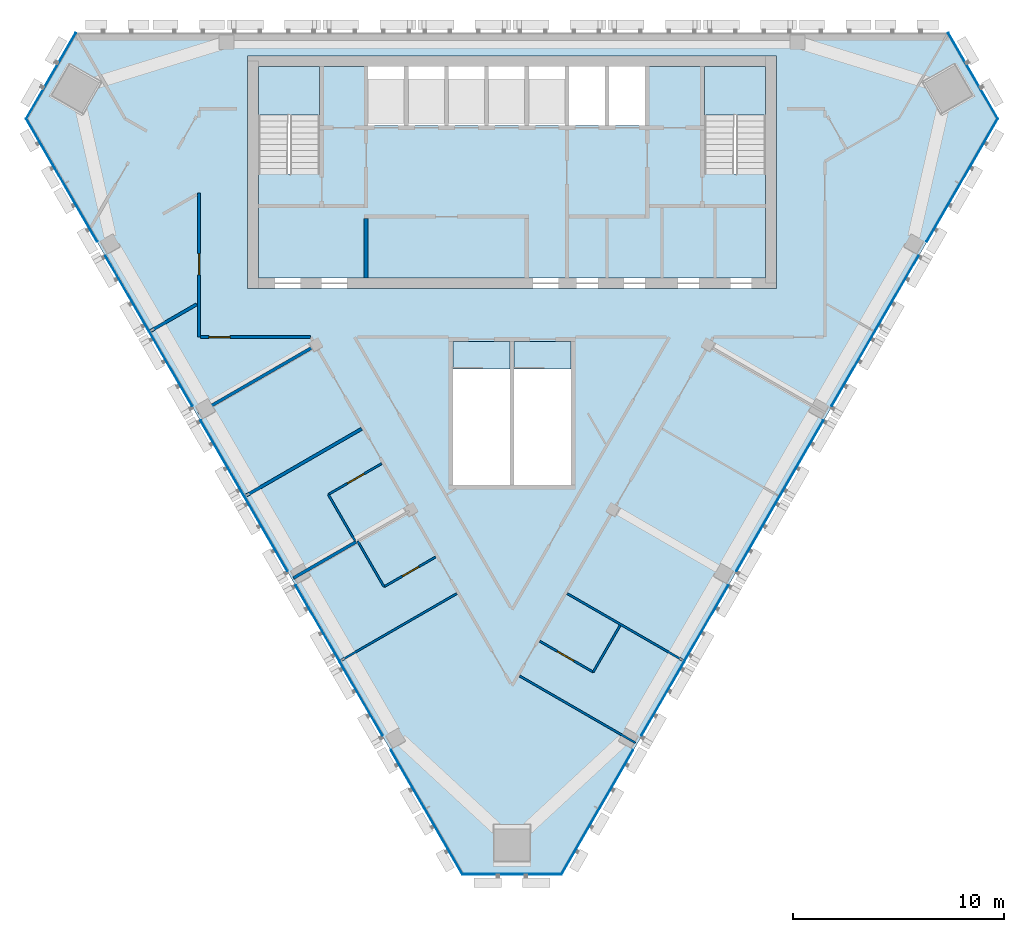
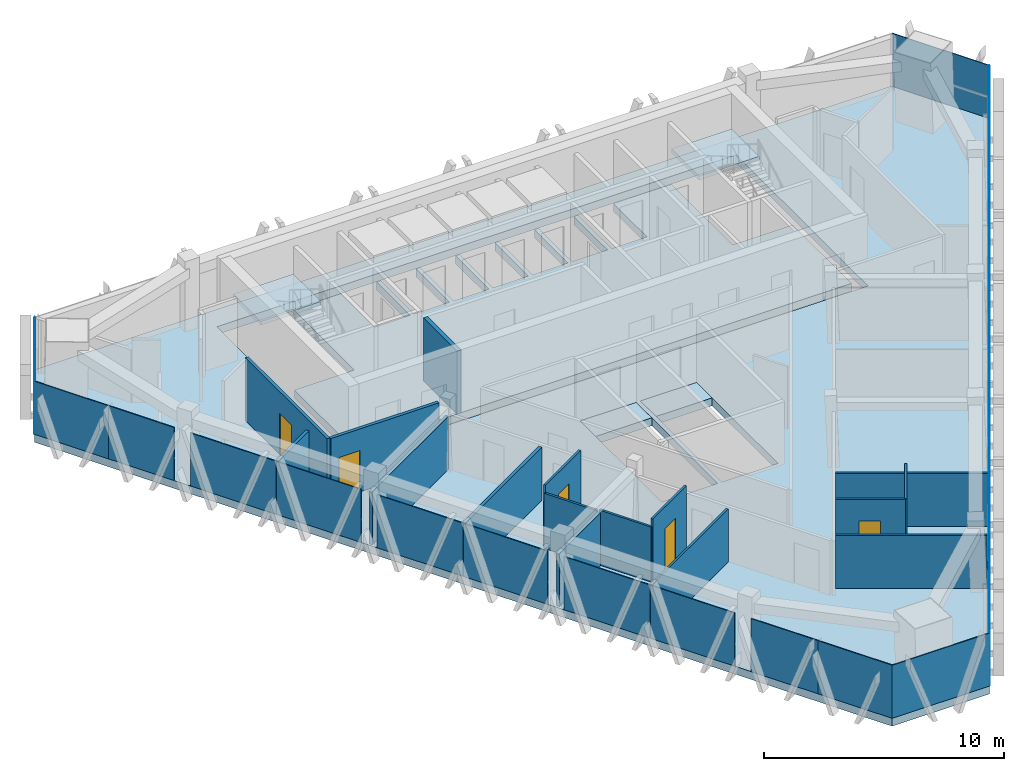
# One storey, part 7 of 12: 23 plates, 16 walls, 6 slabs, 5 doors, 5 openings, 7 elements without a shape of their own.
"""IFC4 building model written with IfcOpenShell, lengths in metres."""

from ifc_helpers import new_model, si_unit, direction, frame, frame_2d, origin, origin_2d, place, context, subcontext, project, spatial, polyline, rectangle, outline, extrude, material, layer, layer_set, type_object, element, fill, aggregate, save


model = new_model("IFC4")

# Units and contexts
model_context = context("Model", 3, precision=1e-05, world=origin(), true_north=direction((0.0, 1.0)))
body_context = subcontext(model_context, "Body", "Model", "MODEL_VIEW")
ifc_project = project(units=[si_unit("LENGTHUNIT", "METRE"), si_unit("AREAUNIT", "SQUARE_METRE"), si_unit("VOLUMEUNIT", "CUBIC_METRE"), si_unit("PLANEANGLEUNIT", "RADIAN"), si_unit("MASSUNIT", "GRAM", prefix="KILO")], contexts=[model_context])

# Site, building, storey
site_placement = place(None, origin())
site = spatial("IfcSite", under=ifc_project, at=site_placement, CompositionType="ELEMENT")
building_placement = place(site_placement, origin())
building = spatial("IfcBuilding", under=site, at=building_placement, Name="Altiplano Prism Tower", CompositionType="ELEMENT")
storey_placement = place(building_placement, frame((0.0, 0.0, 275.199951171875)))
storey = spatial("IfcBuildingStorey", under=building, at=storey_placement, Name="L71", CompositionType="ELEMENT", Elevation=275.199951171875)

# Curtain wall, plate
ifc_material_1 = material(Name="Aluminium and glass", Category="aluminium")
ifc_layer_1 = layer(ifc_material_1, 0.280029296875)
ifc_layer_set_1 = layer_set([ifc_layer_1], Name="Aluminium and glass")
curtain_wall_type = type_object("IfcCurtainWallType", Name="CW1 typical co-living unitised curtain wall", PredefinedType="NOTDEFINED", material=ifc_layer_set_1)
curtain_wall_1_placement = place(storey_placement, origin())
curtain_wall_1 = element("IfcCurtainWall", 1, at=curtain_wall_1_placement, inside=storey, type_object=curtain_wall_type, Name="CW1 curtain wall north-west chamfer L71", PredefinedType="NOTDEFINED")
ifc_material_2 = material(Name="Clear glass", Category="glass")
ifc_layer_2 = layer(ifc_material_2, 0.0400390625)
ifc_layer_set_2 = layer_set([ifc_layer_2], Name="Clear glass")
plate_type = type_object("IfcPlateType", Name="CW1 insulated glass unit 40", PredefinedType="CURTAIN_PANEL", material=ifc_layer_set_2)
plate_1_placement = place(storey_placement, frame((63.19384765625, 102.957763671875, 0.0), z_axis=(0.0, 0.0, 1.0), x_axis=(-0.500000036971, -0.866025382439, 0.0)))
plate_1 = element("IfcPlate", 2, at=plate_1_placement, type_object=plate_type, Name="CW1 panel", PredefinedType="CURTAIN_PANEL", context=body_context, shape_type="SweptSolid", body=[
    extrude(rectangle(XDim=4.683349609375, YDim=0.0400390625, at=origin_2d()), origin(), (0.0, 0.0, 1.0), 2.699951171875),
])
aggregate(curtain_wall_1, [plate_1])

# Curtain wall, plates
curtain_wall_2_placement = place(storey_placement, origin())
curtain_wall_2 = element("IfcCurtainWall", 3, at=curtain_wall_2_placement, inside=storey, type_object=curtain_wall_type, Name="CW1 curtain wall south-west face L71", PredefinedType="NOTDEFINED")
plate_2_placement = place(storey_placement, frame((62.914306640625, 99.3974609375, 0.0), z_axis=(0.0, 0.0, 1.0), x_axis=(0.499999996372, -0.866025405879, 0.0)))
plate_2 = element("IfcPlate", 4, at=plate_2_placement, type_object=plate_type, Name="CW1 panel", PredefinedType="CURTAIN_PANEL", context=body_context, shape_type="SweptSolid", body=[
    extrude(rectangle(XDim=3.56494140625, YDim=0.0400390625, at=origin_2d()), origin(), (0.0, 0.0, 1.0), 2.699951171875),
])
plate_3_placement = place(storey_placement, frame((64.594482421875, 96.4873046875, 0.0), z_axis=(0.0, 0.0, 1.0), x_axis=(0.499999996372, -0.866025405879, 0.0)))
plate_3 = element("IfcPlate", 5, at=plate_3_placement, type_object=plate_type, Name="CW1 panel", PredefinedType="CURTAIN_PANEL", context=body_context, shape_type="SweptSolid", body=[
    extrude(rectangle(XDim=3.135498046875, YDim=0.0400390625, at=origin_2d()), origin(), (0.0, 0.0, 1.0), 2.699951171875),
])
plate_4_placement = place(storey_placement, frame((66.808349609375, 92.653076171875, 0.0), z_axis=(0.0, 0.0, 1.0), x_axis=(0.499999996372, -0.866025405879, 0.0)))
plate_4 = element("IfcPlate", 6, at=plate_4_placement, type_object=plate_type, Name="CW1 panel", PredefinedType="CURTAIN_PANEL", context=body_context, shape_type="SweptSolid", body=[
    extrude(rectangle(XDim=4.139404296875, YDim=0.0400390625, at=origin_2d()), origin(), (0.0, 0.0, 1.0), 2.699951171875),
])
plate_5_placement = place(storey_placement, frame((68.86328125, 89.09375, 0.0), z_axis=(0.0, 0.0, 1.0), x_axis=(0.499999996372, -0.866025405879, 0.0)))
plate_5 = element("IfcPlate", 7, at=plate_5_placement, type_object=plate_type, Name="CW1 panel", PredefinedType="CURTAIN_PANEL", context=body_context, shape_type="SweptSolid", body=[
    extrude(rectangle(XDim=4.060302734375, YDim=0.0400390625, at=origin_2d()), origin(), (0.0, 0.0, 1.0), 2.699951171875),
])
plate_6_placement = place(storey_placement, frame((71.308349609375, 84.858642578125, 0.0), z_axis=(0.0, 0.0, 1.0), x_axis=(0.499999996372, -0.866025405879, 0.0)))
plate_6 = element("IfcPlate", 8, at=plate_6_placement, type_object=plate_type, Name="CW1 panel", PredefinedType="CURTAIN_PANEL", context=body_context, shape_type="SweptSolid", body=[
    extrude(rectangle(XDim=4.139404296875, YDim=0.0400390625, at=origin_2d()), origin(), (0.0, 0.0, 1.0), 2.699951171875),
])
plate_7_placement = place(storey_placement, frame((73.36328125, 81.299560546875, 0.0), z_axis=(0.0, 0.0, 1.0), x_axis=(0.499999996372, -0.866025405879, 0.0)))
plate_7 = element("IfcPlate", 9, at=plate_7_placement, type_object=plate_type, Name="CW1 panel", PredefinedType="CURTAIN_PANEL", context=body_context, shape_type="SweptSolid", body=[
    extrude(rectangle(XDim=4.060302734375, YDim=0.0400390625, at=origin_2d()), origin(), (0.0, 0.0, 1.0), 2.699951171875),
])
plate_8_placement = place(storey_placement, frame((75.808349609375, 77.064453125, 0.0), z_axis=(0.0, 0.0, 1.0), x_axis=(0.499999996372, -0.866025405879, 0.0)))
plate_8 = element("IfcPlate", 10, at=plate_8_placement, type_object=plate_type, Name="CW1 panel", PredefinedType="CURTAIN_PANEL", context=body_context, shape_type="SweptSolid", body=[
    extrude(rectangle(XDim=4.139404296875, YDim=0.0400390625, at=origin_2d()), origin(), (0.0, 0.0, 1.0), 2.699951171875),
])
plate_9_placement = place(storey_placement, frame((77.86328125, 73.505126953125, 0.0), z_axis=(0.0, 0.0, 1.0), x_axis=(0.499999996372, -0.866025405879, 0.0)))
plate_9 = element("IfcPlate", 11, at=plate_9_placement, type_object=plate_type, Name="CW1 panel", PredefinedType="CURTAIN_PANEL", context=body_context, shape_type="SweptSolid", body=[
    extrude(rectangle(XDim=4.060302734375, YDim=0.0400390625, at=origin_2d()), origin(), (0.0, 0.0, 1.0), 2.699951171875),
])
plate_10_placement = place(storey_placement, frame((80.076904296875, 69.6708984375, 0.0), z_axis=(0.0, 0.0, 1.0), x_axis=(0.499999996372, -0.866025405879, 0.0)))
plate_10 = element("IfcPlate", 12, at=plate_10_placement, type_object=plate_type, Name="CW1 panel", PredefinedType="CURTAIN_PANEL", context=body_context, shape_type="SweptSolid", body=[
    extrude(rectangle(XDim=3.214599609375, YDim=0.0400390625, at=origin_2d()), origin(), (0.0, 0.0, 1.0), 2.699951171875),
])
plate_11_placement = place(storey_placement, frame((81.77685546875, 66.7265625, 0.0), z_axis=(0.0, 0.0, 1.0), x_axis=(0.499999996372, -0.866025405879, 0.0)))
plate_11 = element("IfcPlate", 13, at=plate_11_placement, type_object=plate_type, Name="CW1 panel", PredefinedType="CURTAIN_PANEL", context=body_context, shape_type="SweptSolid", body=[
    extrude(rectangle(XDim=3.56494140625, YDim=0.0400390625, at=origin_2d()), origin(), (0.0, 0.0, 1.0), 2.699951171875),
])
aggregate(curtain_wall_2, [plate_2, plate_3, plate_4, plate_5, plate_6, plate_7, plate_8, plate_9, plate_10, plate_11])

# Curtain wall, plate
curtain_wall_3_placement = place(storey_placement, origin())
curtain_wall_3 = element("IfcCurtainWall", 14, at=curtain_wall_3_placement, inside=storey, type_object=curtain_wall_type, Name="CW1 curtain wall south chamfer L71", PredefinedType="NOTDEFINED")
plate_12_placement = place(storey_placement, frame((85.0, 65.1884765625, 0.0), z_axis=(0.0, 0.0, 1.0), x_axis=(1.0, 0.0, 0.0)))
plate_12 = element("IfcPlate", 15, at=plate_12_placement, type_object=plate_type, Name="CW1 panel", PredefinedType="CURTAIN_PANEL", context=body_context, shape_type="SweptSolid", body=[
    extrude(rectangle(XDim=4.683349609375, YDim=0.0400390625, at=origin_2d()), origin(), (0.0, 0.0, 1.0), 2.699951171875),
])
aggregate(curtain_wall_3, [plate_12])

# Curtain wall, plates
curtain_wall_4_placement = place(storey_placement, origin())
curtain_wall_4 = element("IfcCurtainWall", 16, at=curtain_wall_4_placement, inside=storey, type_object=curtain_wall_type, Name="CW1 curtain wall south-east face L71", PredefinedType="NOTDEFINED")
plate_13_placement = place(storey_placement, frame((88.22314453125, 66.7265625, 0.0), z_axis=(0.0, 0.0, 1.0), x_axis=(0.499999996372, 0.866025405879, 0.0)))
plate_13 = element("IfcPlate", 17, at=plate_13_placement, type_object=plate_type, Name="CW1 panel", PredefinedType="CURTAIN_PANEL", context=body_context, shape_type="SweptSolid", body=[
    extrude(rectangle(XDim=3.56494140625, YDim=0.0400390625, at=origin_2d()), origin(), (0.0, 0.0, 1.0), 2.699951171875),
])
plate_14_placement = place(storey_placement, frame((89.923095703125, 69.6708984375, 0.0), z_axis=(0.0, 0.0, 1.0), x_axis=(0.499999996372, 0.866025405879, 0.0)))
plate_14 = element("IfcPlate", 18, at=plate_14_placement, type_object=plate_type, Name="CW1 panel", PredefinedType="CURTAIN_PANEL", context=body_context, shape_type="SweptSolid", body=[
    extrude(rectangle(XDim=3.214599609375, YDim=0.0400390625, at=origin_2d()), origin(), (0.0, 0.0, 1.0), 2.699951171875),
])
plate_15_placement = place(storey_placement, frame((92.13671875, 73.505126953125, 0.0), z_axis=(0.0, 0.0, 1.0), x_axis=(0.499999996372, 0.866025405879, 0.0)))
plate_15 = element("IfcPlate", 19, at=plate_15_placement, type_object=plate_type, Name="CW1 panel", PredefinedType="CURTAIN_PANEL", context=body_context, shape_type="SweptSolid", body=[
    extrude(rectangle(XDim=4.060302734375, YDim=0.0400390625, at=origin_2d()), origin(), (0.0, 0.0, 1.0), 2.699951171875),
])
plate_16_placement = place(storey_placement, frame((94.191650390625, 77.064453125, 0.0), z_axis=(0.0, 0.0, 1.0), x_axis=(0.499999996372, 0.866025405879, 0.0)))
plate_16 = element("IfcPlate", 20, at=plate_16_placement, type_object=plate_type, Name="CW1 panel", PredefinedType="CURTAIN_PANEL", context=body_context, shape_type="SweptSolid", body=[
    extrude(rectangle(XDim=4.139404296875, YDim=0.0400390625, at=origin_2d()), origin(), (0.0, 0.0, 1.0), 2.699951171875),
])
plate_17_placement = place(storey_placement, frame((96.63671875, 81.299560546875, 0.0), z_axis=(0.0, 0.0, 1.0), x_axis=(0.499999996372, 0.866025405879, 0.0)))
plate_17 = element("IfcPlate", 21, at=plate_17_placement, type_object=plate_type, Name="CW1 panel", PredefinedType="CURTAIN_PANEL", context=body_context, shape_type="SweptSolid", body=[
    extrude(rectangle(XDim=4.060302734375, YDim=0.0400390625, at=origin_2d()), origin(), (0.0, 0.0, 1.0), 2.699951171875),
])
plate_18_placement = place(storey_placement, frame((98.691650390625, 84.858642578125, 0.0), z_axis=(0.0, 0.0, 1.0), x_axis=(0.499999996372, 0.866025405879, 0.0)))
plate_18 = element("IfcPlate", 22, at=plate_18_placement, type_object=plate_type, Name="CW1 panel", PredefinedType="CURTAIN_PANEL", context=body_context, shape_type="SweptSolid", body=[
    extrude(rectangle(XDim=4.139404296875, YDim=0.0400390625, at=origin_2d()), origin(), (0.0, 0.0, 1.0), 2.699951171875),
])
plate_19_placement = place(storey_placement, frame((101.13671875, 89.09375, 0.0), z_axis=(0.0, 0.0, 1.0), x_axis=(0.499999996372, 0.866025405879, 0.0)))
plate_19 = element("IfcPlate", 23, at=plate_19_placement, type_object=plate_type, Name="CW1 panel", PredefinedType="CURTAIN_PANEL", context=body_context, shape_type="SweptSolid", body=[
    extrude(rectangle(XDim=4.060302734375, YDim=0.0400390625, at=origin_2d()), origin(), (0.0, 0.0, 1.0), 2.699951171875),
])
plate_20_placement = place(storey_placement, frame((103.191650390625, 92.653076171875, 0.0), z_axis=(0.0, 0.0, 1.0), x_axis=(0.499999996372, 0.866025405879, 0.0)))
plate_20 = element("IfcPlate", 24, at=plate_20_placement, type_object=plate_type, Name="CW1 panel", PredefinedType="CURTAIN_PANEL", context=body_context, shape_type="SweptSolid", body=[
    extrude(rectangle(XDim=4.139404296875, YDim=0.0400390625, at=origin_2d()), origin(), (0.0, 0.0, 1.0), 2.699951171875),
])
plate_21_placement = place(storey_placement, frame((105.405517578125, 96.4873046875, 0.0), z_axis=(0.0, 0.0, 1.0), x_axis=(0.499999996372, 0.866025405879, 0.0)))
plate_21 = element("IfcPlate", 25, at=plate_21_placement, type_object=plate_type, Name="CW1 panel", PredefinedType="CURTAIN_PANEL", context=body_context, shape_type="SweptSolid", body=[
    extrude(rectangle(XDim=3.135498046875, YDim=0.0400390625, at=origin_2d()), origin(), (0.0, 0.0, 1.0), 2.699951171875),
])
plate_22_placement = place(storey_placement, frame((107.085693359375, 99.3974609375, 0.0), z_axis=(0.0, 0.0, 1.0), x_axis=(0.499999996372, 0.866025405879, 0.0)))
plate_22 = element("IfcPlate", 26, at=plate_22_placement, type_object=plate_type, Name="CW1 panel", PredefinedType="CURTAIN_PANEL", context=body_context, shape_type="SweptSolid", body=[
    extrude(rectangle(XDim=3.56494140625, YDim=0.0400390625, at=origin_2d()), origin(), (0.0, 0.0, 1.0), 2.699951171875),
])
aggregate(curtain_wall_4, [plate_13, plate_14, plate_15, plate_16, plate_17, plate_18, plate_19, plate_20, plate_21, plate_22])

# Curtain wall, plate
curtain_wall_5_placement = place(storey_placement, origin())
curtain_wall_5 = element("IfcCurtainWall", 27, at=curtain_wall_5_placement, inside=storey, type_object=curtain_wall_type, Name="CW1 curtain wall north-east chamfer L71", PredefinedType="NOTDEFINED")
plate_23_placement = place(storey_placement, frame((106.80615234375, 102.957763671875, 0.0), z_axis=(0.0, 0.0, 1.0), x_axis=(-0.500000036971, 0.866025382439, 0.0)))
plate_23 = element("IfcPlate", 28, at=plate_23_placement, type_object=plate_type, Name="CW1 panel", PredefinedType="CURTAIN_PANEL", context=body_context, shape_type="SweptSolid", body=[
    extrude(rectangle(XDim=4.683349609375, YDim=0.0400390625, at=origin_2d()), origin(), (0.0, 0.0, 1.0), 2.699951171875),
])
aggregate(curtain_wall_5, [plate_23])

# Slabs
ifc_material_3 = material(Name="Concrete C40/50", Category="concrete")
ifc_layer_3 = layer(ifc_material_3, 0.39990234375)
ifc_layer_set_3 = layer_set([ifc_layer_3], Name="Concrete C40/50")
slab_type_1 = type_object("IfcSlabType", Name="Core floor slab 400", PredefinedType="FLOOR", material=ifc_layer_set_3)
slab_1_placement = place(storey_placement, frame((0.0, 0.0, -0.39990234375)))
element("IfcSlab", 29, at=slab_1_placement, inside=storey, type_object=slab_type_1, Name="Core floor slab L71", PredefinedType="FLOOR", context=body_context, shape_type="SweptSolid", body=[
    extrude(outline(polyline([(97.0, 98.31005859375), (94.10009765625, 98.31005859375), (94.10009765625, 103.39990234375), (91.300048828125, 103.39990234375), (91.300048828125, 100.60009765625), (89.60009765625, 100.60009765625), (89.60009765625, 103.39990234375), (89.39990234375, 103.39990234375), (89.39990234375, 100.60009765625), (87.699951171875, 100.60009765625), (87.699951171875, 103.39990234375), (87.5, 103.39990234375), (87.5, 100.60009765625), (85.800048828125, 100.60009765625), (85.800048828125, 103.39990234375), (85.60009765625, 103.39990234375), (85.60009765625, 100.60009765625), (83.89990234375, 100.60009765625), (83.89990234375, 103.39990234375), (83.699951171875, 103.39990234375), (83.699951171875, 100.60009765625), (82.0, 100.60009765625), (82.0, 103.39990234375), (81.800048828125, 103.39990234375), (81.800048828125, 100.60009765625), (80.10009765625, 100.60009765625), (80.10009765625, 103.39990234375), (79.89990234375, 103.39990234375), (79.89990234375, 100.60009765625), (78.199951171875, 100.60009765625), (78.199951171875, 103.39990234375), (75.89990234375, 103.39990234375), (75.89990234375, 98.31005859375), (73.0, 98.31005859375), (73.0, 93.39990234375), (97.0, 93.39990234375), (97.0, 98.31005859375)])), origin(), (0.0, 0.0, 1.0), 0.39990234375),
])
slab_2_placement = place(storey_placement, frame((0.0, 0.0, -0.39990234375)))
element("IfcSlab", 30, at=slab_2_placement, inside=storey, type_object=slab_type_1, Name="Stair 3A landing slab L71", PredefinedType="FLOOR", context=body_context, shape_type="SweptSolid", body=[
    extrude(outline(polyline([(82.199951171875, 89.096923828125), (84.89990234375, 89.096923828125), (84.89990234375, 90.39990234375), (82.199951171875, 90.39990234375), (82.199951171875, 89.096923828125)])), origin(), (0.0, 0.0, 1.0), 0.39990234375),
])
slab_3_placement = place(storey_placement, frame((0.0, 0.0, -0.39990234375)))
element("IfcSlab", 31, at=slab_3_placement, inside=storey, type_object=slab_type_1, Name="Stair 3B landing slab L71", PredefinedType="FLOOR", context=body_context, shape_type="SweptSolid", body=[
    extrude(outline(polyline([(85.10009765625, 89.096923828125), (87.800048828125, 89.096923828125), (87.800048828125, 90.39990234375), (85.10009765625, 90.39990234375), (85.10009765625, 89.096923828125)])), origin(), (0.0, 0.0, 1.0), 0.39990234375),
])
ifc_layer_4 = layer(ifc_material_3, 0.39990234375)
ifc_layer_set_4 = layer_set([ifc_layer_4], Name="Concrete C40/50")
slab_type_2 = type_object("IfcSlabType", Name="Post-tensioned flat slab 400", PredefinedType="FLOOR", material=ifc_layer_set_4)
slab_4_placement = place(storey_placement, frame((0.0, 0.0, -0.39990234375)))
element("IfcSlab", 32, at=slab_4_placement, inside=storey, type_object=slab_type_2, Name="Floor slab L71", PredefinedType="FLOOR", context=body_context, shape_type="SweptSolid", body=[
    extrude(outline(polyline([(82.6533203125, 65.16845703125), (62.003173828125, 100.935546875), (64.349853515625, 105.0), (105.650146484375, 105.0), (107.996826171875, 100.935546875), (87.3466796875, 65.16845703125), (82.6533203125, 65.16845703125)]), holes=[polyline([(72.5, 103.89990234375), (72.5, 92.89990234375), (97.5, 92.89990234375), (97.5, 103.89990234375), (72.5, 103.89990234375)]), polyline([(84.89990234375, 90.39990234375), (82.199951171875, 90.39990234375), (82.199951171875, 83.60009765625), (84.89990234375, 83.60009765625), (84.89990234375, 90.39990234375)]), polyline([(87.800048828125, 83.60009765625), (87.800048828125, 90.39990234375), (85.10009765625, 90.39990234375), (85.10009765625, 83.60009765625), (87.800048828125, 83.60009765625)])]), origin(), (0.0, 0.0, 1.0), 0.39990234375),
])

# Stair, slab
stair_type = type_object("IfcStairType", Name="Exit stair 1400", PredefinedType="HALF_TURN_STAIR", material=ifc_material_3)
stair_1_placement = place(storey_placement, origin())
stair_1 = element("IfcStair", 33, at=stair_1_placement, inside=storey, type_object=stair_type, Name="L71 Exit Stair 1", PredefinedType="HALF_TURN_STAIR")
ifc_layer_5 = layer(ifc_material_3, 0.199951171875)
ifc_layer_set_5 = layer_set([ifc_layer_5], Name="Concrete C40/50")
slab_type_3 = type_object("IfcSlabType", Name="Stair landing 200", PredefinedType="LANDING", material=ifc_layer_set_5)
slab_5_placement = place(storey_placement, frame((0.0, 0.0, 1.60009765625)))
slab_5 = element("IfcSlab", 34, at=slab_5_placement, type_object=slab_type_3, Name="ST1 landing 1", PredefinedType="LANDING", context=body_context, shape_type="SweptSolid", body=[
    extrude(outline(polyline([(75.89990234375, 101.096923828125), (75.89990234375, 103.39990234375), (73.0, 103.39990234375), (73.0, 101.096923828125), (75.89990234375, 101.096923828125)])), origin(), (0.0, 0.0, 1.0), 0.199951171875),
])
aggregate(stair_1, [slab_5])

stair_2_placement = place(storey_placement, origin())
stair_2 = element("IfcStair", 35, at=stair_2_placement, inside=storey, type_object=stair_type, Name="L71 Exit Stair 2", PredefinedType="HALF_TURN_STAIR")
slab_6_placement = place(storey_placement, frame((0.0, 0.0, 1.60009765625)))
slab_6 = element("IfcSlab", 36, at=slab_6_placement, type_object=slab_type_3, Name="ST2 landing 1", PredefinedType="LANDING", context=body_context, shape_type="SweptSolid", body=[
    extrude(outline(polyline([(97.0, 101.096923828125), (97.0, 103.39990234375), (94.10009765625, 103.39990234375), (94.10009765625, 101.096923828125), (97.0, 101.096923828125)])), origin(), (0.0, 0.0, 1.0), 0.199951171875),
])
aggregate(stair_2, [slab_6])

# Wall
ifc_material_4 = material(Name="Plasterboard on steel stud", Category="steel")
ifc_layer_6 = layer(ifc_material_4, 0.10009765625)
ifc_layer_set_6 = layer_set([ifc_layer_6], Name="Plasterboard on steel stud")
wall_type_1 = type_object("IfcWallType", Name="Partition 100 unit", PredefinedType="PARTITIONING", material=ifc_layer_set_6)
wall_1_placement = place(storey_placement, frame((77.57177734375, 80.9697265625, 0.0), z_axis=(0.0, 0.0, 1.0), x_axis=(-0.499976333282, 0.866039067339, 0.0)))
element("IfcWall", 37, at=wall_1_placement, inside=storey, type_object=wall_type_1, Name="Partition P02 L71 027", PredefinedType="PARTITIONING", context=body_context, shape_type="SweptSolid", body=[
    extrude(rectangle(XDim=2.52490234375, YDim=0.10009765625, at=frame_2d((1.262451171875, 0.0))), origin(), (0.0, 0.0, 1.0), 2.800048828125),
])

# Wall, opening, door
wall_2_placement = place(storey_placement, frame((76.309326171875, 83.156494140625, 0.0), z_axis=(0.0, 0.0, 1.0), x_axis=(0.86601045545, 0.500025890382, 0.0)))
wall_2 = element("IfcWall", 38, at=wall_2_placement, inside=storey, type_object=wall_type_1, Name="Partition P02 L71 028", PredefinedType="PARTITIONING", context=body_context, shape_type="SweptSolid", body=[
    extrude(rectangle(XDim=2.925048828125, YDim=0.10009765625, at=frame_2d((1.46240234375, 0.0))), origin(), (0.0, 0.0, 1.0), 3.199951171875),
])
opening_1_placement = place(wall_2_placement, frame((1.050048828125, 0.0, 0.0)))
opening_1 = element("IfcOpeningElement", 39, at=opening_1_placement, cuts=wall_2, Name="Opening D2235", PredefinedType="OPENING", context=body_context, shape_type="SweptSolid", body=[
    extrude(rectangle(XDim=0.89990234375, YDim=2.10009765625, at=frame_2d((0.449951171875, 1.050048828125))), frame((0.0, 0.060546875, 0.0), z_axis=(0.0, -1.0, 0.0), x_axis=(1.0, 0.0, 0.0)), (0.0, 0.0, 1.0), 0.12109375),
])
ifc_material_5 = material(Name="Timber", Category="wood")
door_type_1 = type_object("IfcDoorType", Name="Ensuite door 900 x 2100", OperationType="NOTDEFINED", PredefinedType="NOTDEFINED", material=ifc_material_5)
door_1_placement = place(opening_1_placement, origin())
door_1 = element("IfcDoor", 40, at=door_1_placement, inside=storey, type_object=door_type_1, Name="Door D2235", OperationType="SINGLE_SWING_RIGHT", OverallHeight=2.10009765625, OverallWidth=0.89990234375, PredefinedType="NOTDEFINED", context=body_context, shape_type="SweptSolid", body=[
    extrude(rectangle(XDim=0.89990234375, YDim=2.10009765625, at=frame_2d((0.449951171875, 1.050048828125))), frame((0.0, 0.02490234375, 0.0), z_axis=(0.0, -1.0, 0.0), x_axis=(1.0, 0.0, 0.0)), (0.0, 0.0, 1.0), 0.050048828125),
])
fill(opening_1, door_1)

wall_3_placement = place(storey_placement, frame((81.392578125, 80.202392578125, 0.0), z_axis=(0.0, 0.0, 1.0), x_axis=(-0.866011447264, -0.500024172624, 0.0)))
wall_3 = element("IfcWall", 41, at=wall_3_placement, inside=storey, type_object=wall_type_1, Name="Partition P02 L71 031", PredefinedType="PARTITIONING", context=body_context, shape_type="SweptSolid", body=[
    extrude(rectangle(XDim=2.824951171875, YDim=0.10009765625, at=frame_2d((1.41259765625, 0.0))), origin(), (0.0, 0.0, 1.0), 3.199951171875),
])
opening_2_placement = place(wall_3_placement, frame((0.925048828125, 0.0, 0.0)))
opening_2 = element("IfcOpeningElement", 42, at=opening_2_placement, cuts=wall_3, Name="Opening D2237", PredefinedType="OPENING", context=body_context, shape_type="SweptSolid", body=[
    extrude(rectangle(XDim=0.89990234375, YDim=2.10009765625, at=frame_2d((0.449951171875, 1.050048828125))), frame((0.0, 0.060546875, 0.0), z_axis=(0.0, -1.0, 0.0), x_axis=(1.0, 0.0, 0.0)), (0.0, 0.0, 1.0), 0.12109375),
])
door_2_placement = place(opening_2_placement, origin())
door_2 = element("IfcDoor", 43, at=door_2_placement, inside=storey, type_object=door_type_1, Name="Door D2237", OperationType="SINGLE_SWING_RIGHT", OverallHeight=2.10009765625, OverallWidth=0.89990234375, PredefinedType="NOTDEFINED", context=body_context, shape_type="SweptSolid", body=[
    extrude(rectangle(XDim=0.89990234375, YDim=2.10009765625, at=frame_2d((0.449951171875, 1.050048828125))), frame((0.0, 0.02490234375, 0.0), z_axis=(0.0, -1.0, 0.0), x_axis=(1.0, 0.0, 0.0)), (0.0, 0.0, 1.0), 0.050048828125),
])
fill(opening_2, door_2)

# Walls
wall_4_placement = place(storey_placement, frame((78.946044921875, 78.789794921875, 0.0), z_axis=(0.0, 0.0, 1.0), x_axis=(-0.500004234368, 0.866022959057, 0.0)))
element("IfcWall", 44, at=wall_4_placement, inside=storey, type_object=wall_type_1, Name="Partition P02 L71 032", PredefinedType="PARTITIONING", context=body_context, shape_type="SweptSolid", body=[
    extrude(rectangle(XDim=2.5, YDim=0.10009765625, at=frame_2d((1.25, 0.0))), origin(), (0.0, 0.0, 1.0), 2.800048828125),
])
wall_5_placement = place(storey_placement, frame((90.11572265625, 76.96435546875, 0.0), z_axis=(0.0, 0.0, 1.0), x_axis=(-0.500062241894, -0.865989465428, 0.0)))
element("IfcWall", 45, at=wall_5_placement, inside=storey, type_object=wall_type_1, Name="Partition P02 L71 035", PredefinedType="PARTITIONING", context=body_context, shape_type="SweptSolid", body=[
    extrude(rectangle(XDim=2.550048828125, YDim=0.10009765625, at=frame_2d((1.27490234375, 0.0))), origin(), (0.0, 0.0, 1.0), 3.199951171875),
])

# Wall, opening, door
wall_6_placement = place(storey_placement, frame((88.840576171875, 74.756103515625, 0.0), z_axis=(0.0, 0.0, 1.0), x_axis=(-0.866046596414, 0.499963291492, 0.0)))
wall_6 = element("IfcWall", 46, at=wall_6_placement, inside=storey, type_object=wall_type_1, Name="Partition P02 L71 036", PredefinedType="PARTITIONING", context=body_context, shape_type="SweptSolid", body=[
    extrude(rectangle(XDim=2.925048828125, YDim=0.10009765625, at=frame_2d((1.46240234375, 0.0))), origin(), (0.0, 0.0, 1.0), 3.199951171875),
])
opening_3_placement = place(wall_6_placement, frame((1.050048828125, 0.0, 0.0)))
opening_3 = element("IfcOpeningElement", 47, at=opening_3_placement, cuts=wall_6, Name="Opening D2240", PredefinedType="OPENING", context=body_context, shape_type="SweptSolid", body=[
    extrude(rectangle(XDim=0.89990234375, YDim=2.10009765625, at=frame_2d((0.449951171875, 1.050048828125))), frame((0.0, 0.060546875, 0.0), z_axis=(0.0, -1.0, 0.0), x_axis=(1.0, 0.0, 0.0)), (0.0, 0.0, 1.0), 0.12109375),
])
door_3_placement = place(opening_3_placement, origin())
door_3 = element("IfcDoor", 48, at=door_3_placement, inside=storey, type_object=door_type_1, Name="Door D2240", OperationType="SINGLE_SWING_LEFT", OverallHeight=2.10009765625, OverallWidth=0.89990234375, PredefinedType="NOTDEFINED", context=body_context, shape_type="SweptSolid", body=[
    extrude(rectangle(XDim=0.89990234375, YDim=2.10009765625, at=frame_2d((0.449951171875, 1.050048828125))), frame((0.0, 0.02490234375, 0.0), z_axis=(0.0, -1.0, 0.0), x_axis=(1.0, 0.0, 0.0)), (0.0, 0.0, 1.0), 0.050048828125),
])
fill(opening_3, door_3)

# Walls
ifc_layer_7 = layer(ifc_material_4, 0.10009765625)
ifc_layer_set_7 = layer_set([ifc_layer_7], Name="Plasterboard on steel stud")
wall_type_2 = type_object("IfcWallType", Name="Partition 100 wet", PredefinedType="PARTITIONING", material=ifc_layer_set_7)
wall_7_placement = place(storey_placement, frame((76.8974609375, 75.297607421875, 0.0), z_axis=(0.0, 0.0, 1.0), x_axis=(0.866025401434, 0.500000004071, 0.0)))
element("IfcWall", 49, at=wall_7_placement, inside=storey, type_object=wall_type_2, Name="Partition P03 L71 033", PredefinedType="PARTITIONING", context=body_context, shape_type="SweptSolid", body=[
    extrude(rectangle(XDim=6.34521484375, YDim=0.10009765625, at=frame_2d((3.172607421875, 0.0))), origin(), (0.0, 0.0, 1.0), 2.699951171875),
])
wall_8_placement = place(storey_placement, frame((90.835205078125, 71.41064453125, 0.0), z_axis=(0.0, 0.0, 1.0), x_axis=(-0.866025537322, 0.499999768706, 0.0)))
element("IfcWall", 50, at=wall_8_placement, inside=storey, type_object=wall_type_2, Name="Partition P03 L71 034", PredefinedType="PARTITIONING", context=body_context, shape_type="SweptSolid", body=[
    extrude(rectangle(XDim=6.3251953125, YDim=0.10009765625, at=frame_2d((3.16259765625, 0.0))), origin(), (0.0, 0.0, 1.0), 2.699951171875),
])
wall_9_placement = place(storey_placement, frame((93.1025390625, 75.297607421875, 0.0), z_axis=(0.0, 0.0, 1.0), x_axis=(-0.866025401434, 0.500000004071, 0.0)))
element("IfcWall", 51, at=wall_9_placement, inside=storey, type_object=wall_type_2, Name="Partition P03 L71 037", PredefinedType="PARTITIONING", context=body_context, shape_type="SweptSolid", body=[
    extrude(rectangle(XDim=6.34521484375, YDim=0.10009765625, at=frame_2d((3.172607421875, 0.0))), origin(), (0.0, 0.0, 1.0), 2.699951171875),
])

# Wall, opening, door
ifc_layer_8 = layer(ifc_material_4, 0.14990234375)
ifc_layer_set_8 = layer_set([ifc_layer_8], Name="Plasterboard on steel stud")
wall_type_3 = type_object("IfcWallType", Name="Partition 150 corridor", PredefinedType="PARTITIONING", material=ifc_layer_set_8)
wall_10_placement = place(storey_placement, frame((70.199951171875, 97.41162109375, 0.0), z_axis=(0.0, 0.0, 1.0), x_axis=(0.0, -1.0, 0.0)))
wall_10 = element("IfcWall", 52, at=wall_10_placement, inside=storey, type_object=wall_type_3, Name="Partition P06 L71 007", PredefinedType="PARTITIONING", context=body_context, shape_type="SweptSolid", body=[
    extrude(rectangle(XDim=6.8115234375, YDim=0.14990234375, at=frame_2d((3.40576171875, 0.0))), origin(), (0.0, 0.0, 1.0), 3.199951171875),
])
opening_4_placement = place(wall_10_placement, frame((2.864013671875, 0.0, 0.0)))
opening_4 = element("IfcOpeningElement", 53, at=opening_4_placement, cuts=wall_10, Name="Opening D2231", PredefinedType="OPENING", context=body_context, shape_type="SweptSolid", body=[
    extrude(rectangle(XDim=1.0, YDim=2.10009765625, at=frame_2d((0.5, 1.050048828125))), frame((0.0, 0.08544921875, 0.0), z_axis=(0.0, -1.0, 0.0), x_axis=(1.0, 0.0, 0.0)), (0.0, 0.0, 1.0), 0.1708984375),
])
door_type_2 = type_object("IfcDoorType", Name="Room door 1000 x 2100", OperationType="NOTDEFINED", PredefinedType="NOTDEFINED", material=ifc_material_5)
door_4_placement = place(opening_4_placement, origin())
door_4 = element("IfcDoor", 54, at=door_4_placement, inside=storey, type_object=door_type_2, Name="Door D2231", OperationType="SINGLE_SWING_LEFT", OverallHeight=2.10009765625, OverallWidth=1.0, PredefinedType="NOTDEFINED", context=body_context, shape_type="SweptSolid", body=[
    extrude(rectangle(XDim=1.0, YDim=2.10009765625, at=frame_2d((0.5, 1.050048828125))), frame((0.0, 0.02490234375, 0.0), z_axis=(0.0, -1.0, 0.0), x_axis=(1.0, 0.0, 0.0)), (0.0, 0.0, 1.0), 0.050048828125),
])
fill(opening_4, door_4)

wall_11_placement = place(storey_placement, frame((70.27490234375, 90.60009765625, 0.0), z_axis=(0.0, 0.0, 1.0), x_axis=(1.0, 0.0, 0.0)))
wall_11 = element("IfcWall", 55, at=wall_11_placement, inside=storey, type_object=wall_type_3, Name="Partition P06 L71 008", PredefinedType="PARTITIONING", context=body_context, shape_type="SweptSolid", body=[
    extrude(rectangle(XDim=5.201171875, YDim=0.14990234375, at=frame_2d((2.6005859375, 0.0))), origin(), (0.0, 0.0, 1.0), 3.199951171875),
])
opening_5_placement = place(wall_11_placement, frame((0.388916015625, 0.0, 0.0)))
opening_5 = element("IfcOpeningElement", 56, at=opening_5_placement, cuts=wall_11, Name="Opening D2232", PredefinedType="OPENING", context=body_context, shape_type="SweptSolid", body=[
    extrude(rectangle(XDim=1.0, YDim=2.10009765625, at=frame_2d((0.5, 1.050048828125))), frame((0.0, 0.08544921875, 0.0), z_axis=(0.0, -1.0, 0.0), x_axis=(1.0, 0.0, 0.0)), (0.0, 0.0, 1.0), 0.1708984375),
])
door_5_placement = place(opening_5_placement, origin())
door_5 = element("IfcDoor", 57, at=door_5_placement, inside=storey, type_object=door_type_2, Name="Door D2232", OperationType="SINGLE_SWING_LEFT", OverallHeight=2.10009765625, OverallWidth=1.0, PredefinedType="NOTDEFINED", context=body_context, shape_type="SweptSolid", body=[
    extrude(rectangle(XDim=1.0, YDim=2.10009765625, at=frame_2d((0.5, 1.050048828125))), frame((0.0, 0.02490234375, 0.0), z_axis=(0.0, -1.0, 0.0), x_axis=(1.0, 0.0, 0.0)), (0.0, 0.0, 1.0), 0.050048828125),
])
fill(opening_5, door_5)

# Walls
ifc_layer_9 = layer(ifc_material_4, 0.14990234375)
ifc_layer_set_9 = layer_set([ifc_layer_9], Name="Plasterboard on steel stud")
wall_type_4 = type_object("IfcWallType", Name="Partition 150 party", PredefinedType="PARTITIONING", material=ifc_layer_set_9)
wall_12_placement = place(storey_placement, frame((67.8974609375, 90.88623046875, 0.0), z_axis=(0.0, 0.0, 1.0), x_axis=(0.866018376776, 0.500012170939, 0.0)))
element("IfcWall", 58, at=wall_12_placement, inside=storey, type_object=wall_type_4, Name="Partition P01 L71 024", PredefinedType="PARTITIONING", context=body_context, shape_type="SweptSolid", body=[
    extrude(rectangle(XDim=2.52880859375, YDim=0.14990234375, at=frame_2d((1.264404296875, 0.0))), origin(), (0.0, 0.0, 1.0), 2.699951171875),
])
wall_13_placement = place(storey_placement, frame((70.164794921875, 86.9990234375, 0.0), z_axis=(0.0, 0.0, 1.0), x_axis=(0.866025537322, 0.499999768706, 0.0)))
element("IfcWall", 59, at=wall_13_placement, inside=storey, type_object=wall_type_4, Name="Partition P01 L71 025", PredefinedType="PARTITIONING", context=body_context, shape_type="SweptSolid", body=[
    extrude(rectangle(XDim=6.3251953125, YDim=0.14990234375, at=frame_2d((3.16259765625, 0.0))), origin(), (0.0, 0.0, 1.0), 2.699951171875),
])
wall_14_placement = place(storey_placement, frame((72.3974609375, 83.091796875, 0.0), z_axis=(0.0, 0.0, 1.0), x_axis=(0.866025401434, 0.500000004071, 0.0)))
element("IfcWall", 60, at=wall_14_placement, inside=storey, type_object=wall_type_4, Name="Partition P01 L71 026", PredefinedType="PARTITIONING", context=body_context, shape_type="SweptSolid", body=[
    extrude(rectangle(XDim=6.34521484375, YDim=0.14990234375, at=frame_2d((3.172607421875, 0.0))), origin(), (0.0, 0.0, 1.0), 2.699951171875),
])
wall_15_placement = place(storey_placement, frame((74.664794921875, 79.204833984375, 0.0), z_axis=(0.0, 0.0, 1.0), x_axis=(0.866038183914, 0.499977863513, 0.0)))
element("IfcWall", 61, at=wall_15_placement, inside=storey, type_object=wall_type_4, Name="Partition P01 L71 029", PredefinedType="PARTITIONING", context=body_context, shape_type="SweptSolid", body=[
    extrude(rectangle(XDim=3.420166015625, YDim=0.14990234375, at=frame_2d((1.7099609375, 0.0))), origin(), (0.0, 0.0, 1.0), 2.699951171875),
])
ifc_material_6 = material(Name="Concrete C60/75", Category="concrete")
ifc_layer_10 = layer(ifc_material_6, 0.199951171875)
ifc_layer_set_10 = layer_set([ifc_layer_10], Name="Concrete C60/75")
wall_type_5 = type_object("IfcWallType", Name="Vestibule wall 200", PredefinedType="PARTITIONING", material=ifc_layer_set_10)
wall_16_placement = place(storey_placement, frame((78.10009765625, 93.39990234375, 0.0), z_axis=(0.0, 0.0, 1.0), x_axis=(0.0, 1.0, 0.0)))
element("IfcWall", 62, at=wall_16_placement, inside=storey, type_object=wall_type_5, Name="Vestibule wall L71", PredefinedType="PARTITIONING", context=body_context, shape_type="SweptSolid", body=[
    extrude(rectangle(XDim=2.800048828125, YDim=0.199951171875, at=frame_2d((1.39990234375, 0.0))), origin(), (0.0, 0.0, 1.0), 3.199951171875),
])

save(model, "model.ifc")
